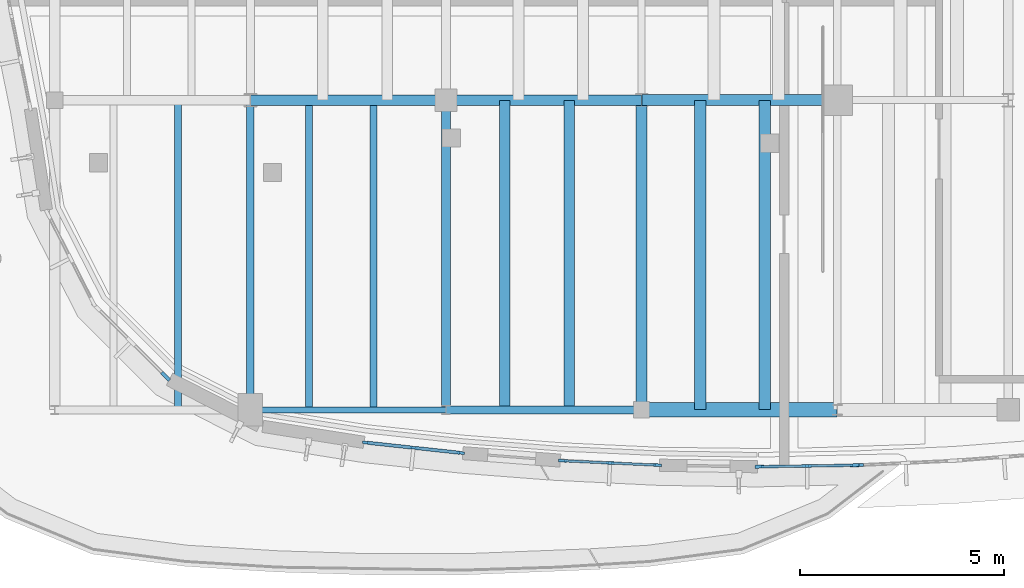
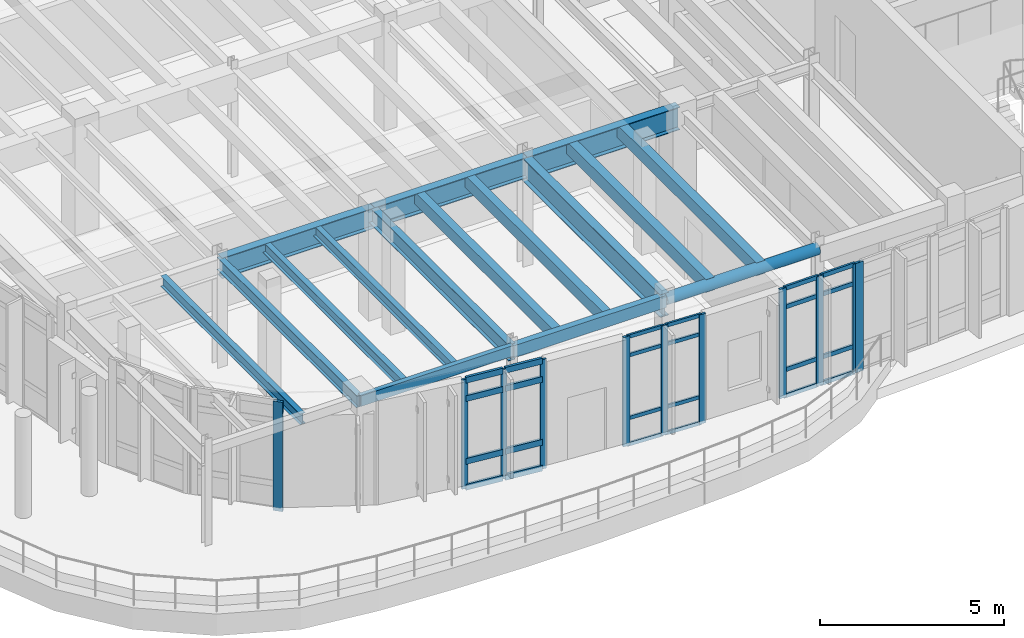
# One storey, part 49 of 111: 35 members, 16 beams, 5 elements without a shape of their own.
"""IFC4 building model written with IfcOpenShell, lengths in metres."""

from ifc_helpers import new_model, si_unit, direction, frame, origin, origin_2d, place, context, subcontext, project, spatial, rectangle, hollow_rectangle, hollow_circle, i_section, extrude, material, material_profile, profile_set, type_object, element, aggregate, save


model = new_model("IFC4")

# Units and contexts
model_context = context("Model", 3, precision=1e-05, world=origin(), true_north=direction((0.0, 1.0)))
body_context = subcontext(model_context, "Body", "Model", "MODEL_VIEW")
ifc_project = project(units=[si_unit("LENGTHUNIT", "METRE"), si_unit("AREAUNIT", "SQUARE_METRE"), si_unit("VOLUMEUNIT", "CUBIC_METRE"), si_unit("PLANEANGLEUNIT", "RADIAN"), si_unit("MASSUNIT", "GRAM", prefix="KILO")], contexts=[model_context])

# Site, building, storey
site_placement = place(None, origin())
site = spatial("IfcSite", under=ifc_project, at=site_placement, CompositionType="ELEMENT")
building_placement = place(site_placement, origin())
building = spatial("IfcBuilding", under=site, at=building_placement, Name="Corveleigh Park Community Centre", CompositionType="ELEMENT")
storey_placement = place(building_placement, frame((0.0, 0.0, 4.800048828125)))
storey = spatial("IfcBuildingStorey", under=building, at=storey_placement, Name="L01", CompositionType="ELEMENT", Elevation=4.800048828125)

# Beams
ifc_material_1 = material(Name="Concrete C40/50", Category="concrete")
ifc_material_profile_1 = material_profile(ifc_material_1, rectangle(XDim=0.25, YDim=0.39990234375, at=origin_2d()), Name="RC-250x400", Category="concrete")
ifc_profile_set_1 = profile_set([ifc_material_profile_1], Name="Concrete C40/50")
beam_type_1 = type_object("IfcBeamType", Name="BM-RC-250x400", PredefinedType="JOIST", material=ifc_profile_set_1)
for number, where, z_axis, x_axis, name in (
    (1, (145.639892578125, 58.60498046875, 3.411865234375), (0.0, 1.0, 0.0), (-1.0, 0.0, 0.0), "Secondary floor joist"),
    (2, (147.22412109375, 58.60498046875, 3.411865234375), (0.0, 1.0, 0.0), (-1.0, 0.0, 0.0), "Secondary floor joist"),
):
    element("IfcBeam", number, at=place(storey_placement, frame(where, z_axis=z_axis, x_axis=x_axis)), inside=storey, type_object=beam_type_1, Name=name, PredefinedType="JOIST", context=body_context, shape_type="SweptSolid", body=[
        extrude(rectangle(XDim=0.25, YDim=0.39990234375, at=origin_2d()), origin(), (0.0, 0.0, 1.0), 7.590087890625),
    ])
ifc_material_profile_2 = material_profile(ifc_material_1, rectangle(XDim=0.27490234375, YDim=0.425048828125, at=origin_2d()), Name="RC-275x425", Category="concrete")
ifc_profile_set_2 = profile_set([ifc_material_profile_2], Name="Concrete C40/50")
beam_type_2 = type_object("IfcBeamType", Name="BM-RC-275x425", PredefinedType="JOIST", material=ifc_profile_set_2)
for number, where, z_axis, x_axis, name in (
    (3, (150.43994140625, 58.60498046875, 3.3994140625), (0.0, 1.0, 0.0), (-1.0, 0.0, 0.0), "Secondary floor joist"),
    (4, (152.02392578125, 58.60498046875, 3.3994140625), (0.0, 1.0, 0.0), (-1.0, 0.0, 0.0), "Secondary floor joist"),
):
    element("IfcBeam", number, at=place(storey_placement, frame(where, z_axis=z_axis, x_axis=x_axis)), inside=storey, type_object=beam_type_2, Name=name, PredefinedType="JOIST", context=body_context, shape_type="SweptSolid", body=[
        extrude(rectangle(XDim=0.27490234375, YDim=0.425048828125, at=origin_2d()), origin(), (0.0, 0.0, 1.0), 7.590087890625),
    ])
ifc_material_2 = material(Name="Steel S355", Category="steel")
ifc_material_profile_3 = material_profile(ifc_material_2, i_section(OverallWidth=0.171142578125, OverallDepth=0.351318359375, WebThickness=0.007080078125, FlangeThickness=0.009765625, at=origin_2d()), Name="UKB 356x171x45", Category="steel")
ifc_profile_set_3 = profile_set([ifc_material_profile_3], Name="Steel S355")
beam_type_3 = type_object("IfcBeamType", Name="BM-STL-UKB356x45", PredefinedType="JOIST", material=ifc_profile_set_3)
beam_1_placement = place(storey_placement, frame((137.6240234375, 58.60498046875, 3.436279296875), z_axis=(0.0, 1.0, 0.0), x_axis=(-1.0, 0.0, 0.0)))
element("IfcBeam", 5, at=beam_1_placement, inside=storey, type_object=beam_type_3, Name="Secondary floor joist", PredefinedType="JOIST", context=body_context, shape_type="SweptSolid", body=[
    extrude(i_section(OverallWidth=0.171142578125, OverallDepth=0.351318359375, WebThickness=0.007080078125, FlangeThickness=0.009765625, at=origin_2d()), origin(), (0.0, 0.0, 1.0), 7.590087890625),
])
ifc_material_profile_4 = material_profile(ifc_material_2, i_section(OverallWidth=0.17138671875, OverallDepth=0.35498046875, WebThickness=0.00732421875, FlangeThickness=0.011474609375, at=origin_2d()), Name="UKB 356x171x51", Category="steel")
ifc_profile_set_4 = profile_set([ifc_material_profile_4], Name="Steel S355")
beam_type_4 = type_object("IfcBeamType", Name="BM-STL-UKB356x51", PredefinedType="JOIST", material=ifc_profile_set_4)
for number, where, z_axis, x_axis, name in (
    (6, (140.840087890625, 58.60498046875, 3.4345703125), (0.0, 1.0, 0.0), (-1.0, 0.0, 0.0), "Secondary floor joist"),
    (7, (142.424072265625, 58.60498046875, 3.4345703125), (0.0, 1.0, 0.0), (-1.0, 0.0, 0.0), "Secondary floor joist"),
):
    element("IfcBeam", number, at=place(storey_placement, frame(where, z_axis=z_axis, x_axis=x_axis)), inside=storey, type_object=beam_type_4, Name=name, PredefinedType="JOIST", context=body_context, shape_type="SweptSolid", body=[
        extrude(i_section(OverallWidth=0.17138671875, OverallDepth=0.35498046875, WebThickness=0.00732421875, FlangeThickness=0.011474609375, at=origin_2d()), origin(), (0.0, 0.0, 1.0), 7.590087890625),
    ])
ifc_material_profile_5 = material_profile(ifc_material_2, i_section(OverallWidth=0.179443359375, OverallDepth=0.412841796875, WebThickness=0.009521484375, FlangeThickness=0.01611328125, at=origin_2d()), Name="UKB 406x178x74", Category="steel")
ifc_profile_set_5 = profile_set([ifc_material_profile_5], Name="Steel S355")
beam_type_5 = type_object("IfcBeamType", Name="BM-STL-UKB406x74", PredefinedType="BEAM", material=ifc_profile_set_5)
beam_2_placement = place(storey_placement, frame((139.39990234375, 58.60498046875, 3.405517578125), z_axis=(0.0, 1.0, 0.0), x_axis=(-1.0, 0.0, 0.0)))
element("IfcBeam", 8, at=beam_2_placement, inside=storey, type_object=beam_type_5, Name="V4 Girder Y", PredefinedType="BEAM", context=body_context, shape_type="SweptSolid", body=[
    extrude(i_section(OverallWidth=0.179443359375, OverallDepth=0.412841796875, WebThickness=0.009521484375, FlangeThickness=0.01611328125, at=origin_2d()), origin(), (0.0, 0.0, 1.0), 7.590087890625),
])
ifc_material_profile_6 = material_profile(ifc_material_2, i_section(OverallWidth=0.2099609375, OverallDepth=0.53662109375, WebThickness=0.0107421875, FlangeThickness=0.017333984375, at=origin_2d()), Name="UKB 533x210x101", Category="steel")
ifc_profile_set_6 = profile_set([ifc_material_profile_6], Name="Steel S355")
beam_type_6 = type_object("IfcBeamType", Name="BM-STL-UKB533x101", PredefinedType="BEAM", material=ifc_profile_set_6)
beam_3_placement = place(storey_placement, frame((144.199951171875, 58.60498046875, 3.34375), z_axis=(0.0, 1.0, 0.0), x_axis=(-1.0, 0.0, 0.0)))
element("IfcBeam", 9, at=beam_3_placement, inside=storey, type_object=beam_type_6, Name="V4 Girder Y", PredefinedType="BEAM", context=body_context, shape_type="SweptSolid", body=[
    extrude(i_section(OverallWidth=0.2099609375, OverallDepth=0.53662109375, WebThickness=0.0107421875, FlangeThickness=0.017333984375, at=origin_2d()), origin(), (0.0, 0.0, 1.0), 7.590087890625),
])
ifc_material_profile_7 = material_profile(ifc_material_2, i_section(OverallWidth=0.253662109375, OverallDepth=0.68359375, WebThickness=0.012451171875, FlangeThickness=0.01904296875, at=origin_2d()), Name="UKB 686x254x140", Category="steel")
ifc_profile_set_7 = profile_set([ifc_material_profile_7], Name="Steel S355")
beam_type_7 = type_object("IfcBeamType", Name="BM-STL-UKB686x140", PredefinedType="BEAM", material=ifc_profile_set_7)
beam_4_placement = place(storey_placement, frame((139.405029296875, 66.199951171875, 3.270263671875), z_axis=(1.0, 0.0, 0.0), x_axis=(0.0, 1.0, 0.0)))
element("IfcBeam", 10, at=beam_4_placement, inside=storey, type_object=beam_type_7, Name="V4 Girder X", PredefinedType="BEAM", context=body_context, shape_type="SweptSolid", body=[
    extrude(i_section(OverallWidth=0.253662109375, OverallDepth=0.68359375, WebThickness=0.012451171875, FlangeThickness=0.01904296875, at=origin_2d()), origin(), (0.0, 0.0, 1.0), 4.7900390625),
])
ifc_material_profile_8 = material_profile(ifc_material_2, i_section(OverallWidth=0.25439453125, OverallDepth=0.6875, WebThickness=0.01318359375, FlangeThickness=0.02099609375, at=origin_2d()), Name="UKB 686x254x152", Category="steel")
ifc_profile_set_8 = profile_set([ifc_material_profile_8], Name="Steel S355")
beam_type_8 = type_object("IfcBeamType", Name="BM-STL-UKB686x152", PredefinedType="BEAM", material=ifc_profile_set_8)
beam_5_placement = place(storey_placement, frame((144.205078125, 66.199951171875, 3.268310546875), z_axis=(1.0, 0.0, 0.0), x_axis=(0.0, 1.0, 0.0)))
element("IfcBeam", 11, at=beam_5_placement, inside=storey, type_object=beam_type_8, Name="V4 Girder X", PredefinedType="BEAM", context=body_context, shape_type="SweptSolid", body=[
    extrude(i_section(OverallWidth=0.25439453125, OverallDepth=0.6875, WebThickness=0.01318359375, FlangeThickness=0.02099609375, at=origin_2d()), origin(), (0.0, 0.0, 1.0), 4.7900390625),
])
ifc_material_profile_9 = material_profile(ifc_material_2, i_section(OverallWidth=0.2666015625, OverallDepth=0.76220703125, WebThickness=0.014404296875, FlangeThickness=0.021484375, at=origin_2d()), Name="UKB 762x267x173", Category="steel")
ifc_profile_set_9 = profile_set([ifc_material_profile_9], Name="Steel S355")
beam_type_9 = type_object("IfcBeamType", Name="BM-STL-UKB762x173", PredefinedType="BEAM", material=ifc_profile_set_9)
beam_6_placement = place(storey_placement, frame((149.0048828125, 66.199951171875, 3.23095703125), z_axis=(1.0, 0.0, 0.0), x_axis=(0.0, 1.0, 0.0)))
element("IfcBeam", 12, at=beam_6_placement, inside=storey, type_object=beam_type_9, Name="V4 Girder X", PredefinedType="BEAM", context=body_context, shape_type="SweptSolid", body=[
    extrude(i_section(OverallWidth=0.2666015625, OverallDepth=0.76220703125, WebThickness=0.014404296875, FlangeThickness=0.021484375, at=origin_2d()), origin(), (0.0, 0.0, 1.0), 4.7900390625),
])
beam_7_placement = place(storey_placement, frame((149.0, 58.60498046875, 3.23095703125), z_axis=(0.0, 1.0, 0.0), x_axis=(-1.0, 0.0, 0.0)))
element("IfcBeam", 13, at=beam_7_placement, inside=storey, type_object=beam_type_9, Name="V4 Girder Y", PredefinedType="BEAM", context=body_context, shape_type="SweptSolid", body=[
    extrude(i_section(OverallWidth=0.2666015625, OverallDepth=0.76220703125, WebThickness=0.014404296875, FlangeThickness=0.021484375, at=origin_2d()), origin(), (0.0, 0.0, 1.0), 7.590087890625),
])

# Curtain wall, members
ifc_material_3 = material(Name="Anodised aluminium 6063-T6", Category="aluminium")
curtain_wall_type = type_object("IfcCurtainWallType", Name="CW-SYS-V4-L01", PredefinedType="NOTDEFINED", material=ifc_material_3)
curtain_wall_1_placement = place(storey_placement, origin())
curtain_wall_1 = element("IfcCurtainWall", 14, at=curtain_wall_1_placement, inside=storey, type_object=curtain_wall_type, Name="V4 L01 Curtain Wall 260", PredefinedType="NOTDEFINED")
ifc_material_profile_10 = material_profile(ifc_material_3, rectangle(XDim=0.06494140625, YDim=0.179931640625, at=origin_2d()), Name="ALU-M65x180", Category="aluminium")
ifc_profile_set_10 = profile_set([ifc_material_profile_10], Name="Anodised aluminium 6063-T6")
member_type_1 = type_object("IfcMemberType", Name="CWM-65x180", PredefinedType="MULLION", material=ifc_profile_set_10)
member_1_placement = place(storey_placement, frame((144.562744140625, 57.54345703125, 0.0), z_axis=(0.0, 0.0, 1.0), x_axis=(-0.108005423213, -0.994150304811, 0.0)))
member_1 = element("IfcMember", 15, at=member_1_placement, type_object=member_type_1, Name="CW08 mullion 1", PredefinedType="MULLION", context=body_context, shape_type="SweptSolid", body=[
    extrude(rectangle(XDim=0.06494140625, YDim=0.179931640625, at=origin_2d()), origin(), (0.0, 0.0, 1.0), 3.636962890625),
])
member_2_placement = place(storey_placement, frame((143.403076171875, 57.66943359375, 0.0), z_axis=(0.0, 0.0, 1.0), x_axis=(-0.108005423213, -0.994150304811, 0.0)))
member_2 = element("IfcMember", 16, at=member_2_placement, type_object=member_type_1, Name="CW08 mullion 2", PredefinedType="MULLION", context=body_context, shape_type="SweptSolid", body=[
    extrude(rectangle(XDim=0.06494140625, YDim=0.179931640625, at=origin_2d()), origin(), (0.0, 0.0, 1.0), 3.636962890625),
])
member_3_placement = place(storey_placement, frame((142.243408203125, 57.79541015625, 0.0), z_axis=(0.0, 0.0, 1.0), x_axis=(-0.108005423213, -0.994150304811, 0.0)))
member_3 = element("IfcMember", 17, at=member_3_placement, type_object=member_type_1, Name="CW08 mullion 3", PredefinedType="MULLION", context=body_context, shape_type="SweptSolid", body=[
    extrude(rectangle(XDim=0.06494140625, YDim=0.179931640625, at=origin_2d()), origin(), (0.0, 0.0, 1.0), 3.636962890625),
])

curtain_wall_2_placement = place(storey_placement, origin())
curtain_wall_2 = element("IfcCurtainWall", 18, at=curtain_wall_2_placement, inside=storey, type_object=curtain_wall_type, Name="V4 L01 Curtain Wall 261", PredefinedType="NOTDEFINED")
ifc_material_profile_11 = material_profile(ifc_material_3, rectangle(XDim=0.070068359375, YDim=0.199951171875, at=origin_2d()), Name="ALU-M70x200", Category="aluminium")
ifc_profile_set_11 = profile_set([ifc_material_profile_11], Name="Anodised aluminium 6063-T6")
member_type_2 = type_object("IfcMemberType", Name="CWM-70x200", PredefinedType="MULLION", material=ifc_profile_set_11)
member_4_placement = place(storey_placement, frame((149.387939453125, 57.24267578125, 0.0), z_axis=(0.0, 0.0, 1.0), x_axis=(-0.046654729122, -0.998911075247, 0.0)))
member_4 = element("IfcMember", 19, at=member_4_placement, type_object=member_type_2, Name="CW08 mullion 1", PredefinedType="MULLION", context=body_context, shape_type="SweptSolid", body=[
    extrude(rectangle(XDim=0.070068359375, YDim=0.199951171875, at=origin_2d()), origin(), (0.0, 0.0, 1.0), 3.636962890625),
])
member_5_placement = place(storey_placement, frame((148.22412109375, 57.297119140625, 0.0), z_axis=(0.0, 0.0, 1.0), x_axis=(-0.046654729122, -0.998911075247, 0.0)))
member_5 = element("IfcMember", 20, at=member_5_placement, type_object=member_type_2, Name="CW08 mullion 2", PredefinedType="MULLION", context=body_context, shape_type="SweptSolid", body=[
    extrude(rectangle(XDim=0.070068359375, YDim=0.199951171875, at=origin_2d()), origin(), (0.0, 0.0, 1.0), 3.636962890625),
])
member_6_placement = place(storey_placement, frame((147.06005859375, 57.351318359375, 0.0), z_axis=(0.0, 0.0, 1.0), x_axis=(-0.046654729122, -0.998911075247, 0.0)))
member_6 = element("IfcMember", 21, at=member_6_placement, type_object=member_type_2, Name="CW08 mullion 3", PredefinedType="MULLION", context=body_context, shape_type="SweptSolid", body=[
    extrude(rectangle(XDim=0.070068359375, YDim=0.199951171875, at=origin_2d()), origin(), (0.0, 0.0, 1.0), 3.636962890625),
])

curtain_wall_3_placement = place(storey_placement, origin())
curtain_wall_3 = element("IfcCurtainWall", 22, at=curtain_wall_3_placement, inside=storey, type_object=curtain_wall_type, Name="V4 L01 Curtain Wall 262", PredefinedType="NOTDEFINED")
ifc_material_profile_12 = material_profile(ifc_material_3, rectangle(XDim=0.074951171875, YDim=0.219970703125, at=origin_2d()), Name="ALU-M75x220", Category="aluminium")
ifc_profile_set_12 = profile_set([ifc_material_profile_12], Name="Anodised aluminium 6063-T6")
member_type_3 = type_object("IfcMemberType", Name="CWM-75x220", PredefinedType="MULLION", material=ifc_profile_set_12)
member_7_placement = place(storey_placement, frame((154.221435546875, 57.240478515625, 0.0), z_axis=(0.0, 0.0, 1.0), x_axis=(0.01541483492, -0.999881184374, 0.0)))
member_7 = element("IfcMember", 23, at=member_7_placement, type_object=member_type_3, Name="CW08 mullion 1", PredefinedType="MULLION", context=body_context, shape_type="SweptSolid", body=[
    extrude(rectangle(XDim=0.074951171875, YDim=0.219970703125, at=origin_2d()), origin(), (0.0, 0.0, 1.0), 3.636962890625),
])
member_8_placement = place(storey_placement, frame((153.05908203125, 57.222412109375, 0.0), z_axis=(0.0, 0.0, 1.0), x_axis=(0.01541483492, -0.999881184374, 0.0)))
member_8 = element("IfcMember", 24, at=member_8_placement, type_object=member_type_3, Name="CW08 mullion 2", PredefinedType="MULLION", context=body_context, shape_type="SweptSolid", body=[
    extrude(rectangle(XDim=0.074951171875, YDim=0.219970703125, at=origin_2d()), origin(), (0.0, 0.0, 1.0), 3.636962890625),
])
member_9_placement = place(storey_placement, frame((151.896484375, 57.20458984375, 0.0), z_axis=(0.0, 0.0, 1.0), x_axis=(0.01541483492, -0.999881184374, 0.0)))
member_9 = element("IfcMember", 25, at=member_9_placement, type_object=member_type_3, Name="CW08 mullion 3", PredefinedType="MULLION", context=body_context, shape_type="SweptSolid", body=[
    extrude(rectangle(XDim=0.074951171875, YDim=0.219970703125, at=origin_2d()), origin(), (0.0, 0.0, 1.0), 3.636962890625),
])

# Curtain wall, member
curtain_wall_4_placement = place(storey_placement, origin())
curtain_wall_4 = element("IfcCurtainWall", 26, at=curtain_wall_4_placement, inside=storey, type_object=curtain_wall_type, Name="V4 L01 Curtain Wall 263", PredefinedType="NOTDEFINED")
ifc_material_profile_13 = material_profile(ifc_material_3, rectangle(XDim=0.080078125, YDim=0.25, at=origin_2d()), Name="ALU-M80x250", Category="aluminium")
ifc_profile_set_13 = profile_set([ifc_material_profile_13], Name="Anodised aluminium 6063-T6")
member_type_4 = type_object("IfcMemberType", Name="CWM-80x250", PredefinedType="MULLION", material=ifc_profile_set_13)
member_10_placement = place(storey_placement, frame((154.31689453125, 57.242919921875, 0.0), z_axis=(0.0, 0.0, 1.0), x_axis=(0.046654729122, -0.998911075247, 0.0)))
member_10 = element("IfcMember", 27, at=member_10_placement, type_object=member_type_4, Name="CW08 mullion 3", PredefinedType="MULLION", context=body_context, shape_type="SweptSolid", body=[
    extrude(rectangle(XDim=0.080078125, YDim=0.25, at=origin_2d()), origin(), (0.0, 0.0, 1.0), 3.636962890625),
])
aggregate(curtain_wall_4, [member_10])

curtain_wall_5_placement = place(storey_placement, origin())
curtain_wall_5 = element("IfcCurtainWall", 28, at=curtain_wall_5_placement, inside=storey, type_object=curtain_wall_type, Name="V4 L01 Curtain Wall 300", PredefinedType="NOTDEFINED")
ifc_material_profile_14 = material_profile(ifc_material_3, rectangle(XDim=0.0849609375, YDim=0.27490234375, at=origin_2d()), Name="ALU-M85x275", Category="aluminium")
ifc_profile_set_14 = profile_set([ifc_material_profile_14], Name="Anodised aluminium 6063-T6")
member_type_5 = type_object("IfcMemberType", Name="CWM-85x275", PredefinedType="MULLION", material=ifc_profile_set_14)
member_11_placement = place(storey_placement, frame((137.322998046875, 59.423095703125, 0.0), z_axis=(0.0, 0.0, 1.0), x_axis=(-0.707106781187, -0.707106781187, 0.0)))
member_11 = element("IfcMember", 29, at=member_11_placement, type_object=member_type_5, Name="CW08 mullion 1", PredefinedType="MULLION", context=body_context, shape_type="SweptSolid", body=[
    extrude(rectangle(XDim=0.0849609375, YDim=0.27490234375, at=origin_2d()), origin(), (0.0, 0.0, 1.0), 3.636962890625),
])
aggregate(curtain_wall_5, [member_11])

# Member
ifc_material_profile_15 = material_profile(ifc_material_3, rectangle(XDim=0.06005859375, YDim=0.1201171875, at=origin_2d()), Name="ALU-T60x120", Category="aluminium")
ifc_profile_set_15 = profile_set([ifc_material_profile_15], Name="Anodised aluminium 6063-T6")
member_type_6 = type_object("IfcMemberType", Name="CWT-60x120", PredefinedType="USERDEFINED", material=ifc_profile_set_15)
member_12_placement = place(storey_placement, frame((149.35302734375, 57.244384765625, 0.030029296875), z_axis=(-0.998914062538, 0.046590725077, 0.0), x_axis=(-0.046590725077, -0.998914062538, 0.0)))
member_12 = element("IfcMember", 30, at=member_12_placement, type_object=member_type_6, Name="CW08 transom 1.1", ObjectType="TRANSOM", PredefinedType="USERDEFINED", context=body_context, shape_type="SweptSolid", body=[
    extrude(rectangle(XDim=0.06005859375, YDim=0.1201171875, at=origin_2d()), origin(), (0.0, 0.0, 1.0), 1.09521484375),
])

member_13_placement = place(storey_placement, frame((149.35302734375, 57.244384765625, 0.89990234375), z_axis=(-0.998914062538, 0.046590725077, 0.0), x_axis=(-0.046590725077, -0.998914062538, 0.0)))
member_13 = element("IfcMember", 31, at=member_13_placement, type_object=member_type_6, Name="CW08 transom 1.2", ObjectType="TRANSOM", PredefinedType="USERDEFINED", context=body_context, shape_type="SweptSolid", body=[
    extrude(rectangle(XDim=0.06005859375, YDim=0.1201171875, at=origin_2d()), origin(), (0.0, 0.0, 1.0), 1.09521484375),
])

member_14_placement = place(storey_placement, frame((149.35302734375, 57.244384765625, 2.987060546875), z_axis=(-0.998914062538, 0.046590725077, 0.0), x_axis=(-0.046590725077, -0.998914062538, 0.0)))
member_14 = element("IfcMember", 32, at=member_14_placement, type_object=member_type_6, Name="CW08 transom 1.3", ObjectType="TRANSOM", PredefinedType="USERDEFINED", context=body_context, shape_type="SweptSolid", body=[
    extrude(rectangle(XDim=0.06005859375, YDim=0.1201171875, at=origin_2d()), origin(), (0.0, 0.0, 1.0), 1.09521484375),
])

member_15_placement = place(storey_placement, frame((149.35302734375, 57.244384765625, 3.60693359375), z_axis=(-0.998914062538, 0.046590725077, 0.0), x_axis=(-0.046590725077, -0.998914062538, 0.0)))
member_15 = element("IfcMember", 33, at=member_15_placement, type_object=member_type_6, Name="CW08 transom 1.4", ObjectType="TRANSOM", PredefinedType="USERDEFINED", context=body_context, shape_type="SweptSolid", body=[
    extrude(rectangle(XDim=0.06005859375, YDim=0.1201171875, at=origin_2d()), origin(), (0.0, 0.0, 1.0), 1.09521484375),
])

member_16_placement = place(storey_placement, frame((148.18896484375, 57.298583984375, 0.030029296875), z_axis=(-0.998903663056, 0.04681315984, 0.0), x_axis=(-0.04681315984, -0.998903663056, 0.0)))
member_16 = element("IfcMember", 34, at=member_16_placement, type_object=member_type_6, Name="CW08 transom 2.1", ObjectType="TRANSOM", PredefinedType="USERDEFINED", context=body_context, shape_type="SweptSolid", body=[
    extrude(rectangle(XDim=0.06005859375, YDim=0.1201171875, at=origin_2d()), origin(), (0.0, 0.0, 1.0), 1.09521484375),
])

member_17_placement = place(storey_placement, frame((148.18896484375, 57.298583984375, 0.89990234375), z_axis=(-0.998903663056, 0.04681315984, 0.0), x_axis=(-0.04681315984, -0.998903663056, 0.0)))
member_17 = element("IfcMember", 35, at=member_17_placement, type_object=member_type_6, Name="CW08 transom 2.2", ObjectType="TRANSOM", PredefinedType="USERDEFINED", context=body_context, shape_type="SweptSolid", body=[
    extrude(rectangle(XDim=0.06005859375, YDim=0.1201171875, at=origin_2d()), origin(), (0.0, 0.0, 1.0), 1.09521484375),
])

member_18_placement = place(storey_placement, frame((148.18896484375, 57.298583984375, 2.987060546875), z_axis=(-0.998903663056, 0.04681315984, 0.0), x_axis=(-0.04681315984, -0.998903663056, 0.0)))
member_18 = element("IfcMember", 36, at=member_18_placement, type_object=member_type_6, Name="CW08 transom 2.3", ObjectType="TRANSOM", PredefinedType="USERDEFINED", context=body_context, shape_type="SweptSolid", body=[
    extrude(rectangle(XDim=0.06005859375, YDim=0.1201171875, at=origin_2d()), origin(), (0.0, 0.0, 1.0), 1.09521484375),
])

member_19_placement = place(storey_placement, frame((148.18896484375, 57.298583984375, 3.60693359375), z_axis=(-0.998903663056, 0.04681315984, 0.0), x_axis=(-0.04681315984, -0.998903663056, 0.0)))
member_19 = element("IfcMember", 37, at=member_19_placement, type_object=member_type_6, Name="CW08 transom 2.4", ObjectType="TRANSOM", PredefinedType="USERDEFINED", context=body_context, shape_type="SweptSolid", body=[
    extrude(rectangle(XDim=0.06005859375, YDim=0.1201171875, at=origin_2d()), origin(), (0.0, 0.0, 1.0), 1.09521484375),
])

aggregate(curtain_wall_2, [member_4, member_5, member_6, member_12, member_13, member_14, member_15, member_16, member_17, member_18, member_19])

ifc_material_profile_16 = material_profile(ifc_material_3, rectangle(XDim=0.06494140625, YDim=0.139892578125, at=origin_2d()), Name="ALU-T65x140", Category="aluminium")
ifc_profile_set_16 = profile_set([ifc_material_profile_16], Name="Anodised aluminium 6063-T6")
member_type_7 = type_object("IfcMemberType", Name="CWT-65x140", PredefinedType="USERDEFINED", material=ifc_profile_set_16)
member_20_placement = place(storey_placement, frame((154.18408203125, 57.23974609375, 0.032470703125), z_axis=(-0.999883529341, -0.015261970818, 0.0), x_axis=(0.015261970818, -0.999883529341, 0.0)))
member_20 = element("IfcMember", 38, at=member_20_placement, type_object=member_type_7, Name="CW08 transom 1.1", ObjectType="TRANSOM", PredefinedType="USERDEFINED", context=body_context, shape_type="SweptSolid", body=[
    extrude(rectangle(XDim=0.06494140625, YDim=0.139892578125, at=origin_2d()), origin(), (0.0, 0.0, 1.0), 1.087890625),
])

member_21_placement = place(storey_placement, frame((154.18408203125, 57.23974609375, 0.89990234375), z_axis=(-0.999883529341, -0.015261970818, 0.0), x_axis=(0.015261970818, -0.999883529341, 0.0)))
member_21 = element("IfcMember", 39, at=member_21_placement, type_object=member_type_7, Name="CW08 transom 1.2", ObjectType="TRANSOM", PredefinedType="USERDEFINED", context=body_context, shape_type="SweptSolid", body=[
    extrude(rectangle(XDim=0.06494140625, YDim=0.139892578125, at=origin_2d()), origin(), (0.0, 0.0, 1.0), 1.087890625),
])

member_22_placement = place(storey_placement, frame((154.18408203125, 57.23974609375, 2.987060546875), z_axis=(-0.999883529341, -0.015261970818, 0.0), x_axis=(0.015261970818, -0.999883529341, 0.0)))
member_22 = element("IfcMember", 40, at=member_22_placement, type_object=member_type_7, Name="CW08 transom 1.3", ObjectType="TRANSOM", PredefinedType="USERDEFINED", context=body_context, shape_type="SweptSolid", body=[
    extrude(rectangle(XDim=0.06494140625, YDim=0.139892578125, at=origin_2d()), origin(), (0.0, 0.0, 1.0), 1.087890625),
])

member_23_placement = place(storey_placement, frame((154.18408203125, 57.23974609375, 3.6044921875), z_axis=(-0.999883529341, -0.015261970818, 0.0), x_axis=(0.015261970818, -0.999883529341, 0.0)))
member_23 = element("IfcMember", 41, at=member_23_placement, type_object=member_type_7, Name="CW08 transom 1.4", ObjectType="TRANSOM", PredefinedType="USERDEFINED", context=body_context, shape_type="SweptSolid", body=[
    extrude(rectangle(XDim=0.06494140625, YDim=0.139892578125, at=origin_2d()), origin(), (0.0, 0.0, 1.0), 1.087890625),
])

member_24_placement = place(storey_placement, frame((153.021484375, 57.221923828125, 0.032470703125), z_axis=(-0.999880025321, -0.015489834249, 0.0), x_axis=(0.015489834249, -0.999880025321, 0.0)))
member_24 = element("IfcMember", 42, at=member_24_placement, type_object=member_type_7, Name="CW08 transom 2.1", ObjectType="TRANSOM", PredefinedType="USERDEFINED", context=body_context, shape_type="SweptSolid", body=[
    extrude(rectangle(XDim=0.06494140625, YDim=0.139892578125, at=origin_2d()), origin(), (0.0, 0.0, 1.0), 1.087646484375),
])

member_25_placement = place(storey_placement, frame((153.021484375, 57.221923828125, 0.89990234375), z_axis=(-0.999880025321, -0.015489834249, 0.0), x_axis=(0.015489834249, -0.999880025321, 0.0)))
member_25 = element("IfcMember", 43, at=member_25_placement, type_object=member_type_7, Name="CW08 transom 2.2", ObjectType="TRANSOM", PredefinedType="USERDEFINED", context=body_context, shape_type="SweptSolid", body=[
    extrude(rectangle(XDim=0.06494140625, YDim=0.139892578125, at=origin_2d()), origin(), (0.0, 0.0, 1.0), 1.087646484375),
])

member_26_placement = place(storey_placement, frame((153.021484375, 57.221923828125, 2.987060546875), z_axis=(-0.999880025321, -0.015489834249, 0.0), x_axis=(0.015489834249, -0.999880025321, 0.0)))
member_26 = element("IfcMember", 44, at=member_26_placement, type_object=member_type_7, Name="CW08 transom 2.3", ObjectType="TRANSOM", PredefinedType="USERDEFINED", context=body_context, shape_type="SweptSolid", body=[
    extrude(rectangle(XDim=0.06494140625, YDim=0.139892578125, at=origin_2d()), origin(), (0.0, 0.0, 1.0), 1.087646484375),
])

member_27_placement = place(storey_placement, frame((153.021484375, 57.221923828125, 3.6044921875), z_axis=(-0.999880025321, -0.015489834249, 0.0), x_axis=(0.015489834249, -0.999880025321, 0.0)))
member_27 = element("IfcMember", 45, at=member_27_placement, type_object=member_type_7, Name="CW08 transom 2.4", ObjectType="TRANSOM", PredefinedType="USERDEFINED", context=body_context, shape_type="SweptSolid", body=[
    extrude(rectangle(XDim=0.06494140625, YDim=0.139892578125, at=origin_2d()), origin(), (0.0, 0.0, 1.0), 1.087646484375),
])

aggregate(curtain_wall_3, [member_7, member_8, member_9, member_20, member_21, member_22, member_23, member_24, member_25, member_26, member_27])

ifc_material_profile_17 = material_profile(ifc_material_3, rectangle(XDim=0.080078125, YDim=0.195068359375, at=origin_2d()), Name="ALU-T80x195", Category="aluminium")
ifc_profile_set_17 = profile_set([ifc_material_profile_17], Name="Anodised aluminium 6063-T6")
member_type_8 = type_object("IfcMemberType", Name="CWT-80x195", PredefinedType="USERDEFINED", material=ifc_profile_set_17)
member_28_placement = place(storey_placement, frame((144.5302734375, 57.547119140625, 0.0400390625), z_axis=(-0.994156363242, 0.10794964301, 0.0), x_axis=(-0.10794964301, -0.994156363242, 0.0)))
member_28 = element("IfcMember", 46, at=member_28_placement, type_object=member_type_8, Name="CW08 transom 1.1", ObjectType="TRANSOM", PredefinedType="USERDEFINED", context=body_context, shape_type="SweptSolid", body=[
    extrude(rectangle(XDim=0.080078125, YDim=0.195068359375, at=origin_2d()), origin(), (0.0, 0.0, 1.0), 1.101318359375),
])

member_29_placement = place(storey_placement, frame((144.5302734375, 57.547119140625, 0.89990234375), z_axis=(-0.994156363242, 0.10794964301, 0.0), x_axis=(-0.10794964301, -0.994156363242, 0.0)))
member_29 = element("IfcMember", 47, at=member_29_placement, type_object=member_type_8, Name="CW08 transom 1.2", ObjectType="TRANSOM", PredefinedType="USERDEFINED", context=body_context, shape_type="SweptSolid", body=[
    extrude(rectangle(XDim=0.080078125, YDim=0.195068359375, at=origin_2d()), origin(), (0.0, 0.0, 1.0), 1.101318359375),
])

member_30_placement = place(storey_placement, frame((144.5302734375, 57.547119140625, 2.987060546875), z_axis=(-0.994156363242, 0.10794964301, 0.0), x_axis=(-0.10794964301, -0.994156363242, 0.0)))
member_30 = element("IfcMember", 48, at=member_30_placement, type_object=member_type_8, Name="CW08 transom 1.3", ObjectType="TRANSOM", PredefinedType="USERDEFINED", context=body_context, shape_type="SweptSolid", body=[
    extrude(rectangle(XDim=0.080078125, YDim=0.195068359375, at=origin_2d()), origin(), (0.0, 0.0, 1.0), 1.101318359375),
])

member_31_placement = place(storey_placement, frame((144.5302734375, 57.547119140625, 3.596923828125), z_axis=(-0.994156363242, 0.10794964301, 0.0), x_axis=(-0.10794964301, -0.994156363242, 0.0)))
member_31 = element("IfcMember", 49, at=member_31_placement, type_object=member_type_8, Name="CW08 transom 1.4", ObjectType="TRANSOM", PredefinedType="USERDEFINED", context=body_context, shape_type="SweptSolid", body=[
    extrude(rectangle(XDim=0.080078125, YDim=0.195068359375, at=origin_2d()), origin(), (0.0, 0.0, 1.0), 1.101318359375),
])

member_32_placement = place(storey_placement, frame((143.37060546875, 57.673095703125, 0.0400390625), z_axis=(-0.994156363242, 0.10794964301, 0.0), x_axis=(-0.10794964301, -0.994156363242, 0.0)))
member_32 = element("IfcMember", 50, at=member_32_placement, type_object=member_type_8, Name="CW08 transom 2.1", ObjectType="TRANSOM", PredefinedType="USERDEFINED", context=body_context, shape_type="SweptSolid", body=[
    extrude(rectangle(XDim=0.080078125, YDim=0.195068359375, at=origin_2d()), origin(), (0.0, 0.0, 1.0), 1.101318359375),
])

member_33_placement = place(storey_placement, frame((143.37060546875, 57.673095703125, 0.89990234375), z_axis=(-0.994156363242, 0.10794964301, 0.0), x_axis=(-0.10794964301, -0.994156363242, 0.0)))
member_33 = element("IfcMember", 51, at=member_33_placement, type_object=member_type_8, Name="CW08 transom 2.2", ObjectType="TRANSOM", PredefinedType="USERDEFINED", context=body_context, shape_type="SweptSolid", body=[
    extrude(rectangle(XDim=0.080078125, YDim=0.195068359375, at=origin_2d()), origin(), (0.0, 0.0, 1.0), 1.101318359375),
])

member_34_placement = place(storey_placement, frame((143.37060546875, 57.673095703125, 2.987060546875), z_axis=(-0.994156363242, 0.10794964301, 0.0), x_axis=(-0.10794964301, -0.994156363242, 0.0)))
member_34 = element("IfcMember", 52, at=member_34_placement, type_object=member_type_8, Name="CW08 transom 2.3", ObjectType="TRANSOM", PredefinedType="USERDEFINED", context=body_context, shape_type="SweptSolid", body=[
    extrude(rectangle(XDim=0.080078125, YDim=0.195068359375, at=origin_2d()), origin(), (0.0, 0.0, 1.0), 1.101318359375),
])

member_35_placement = place(storey_placement, frame((143.37060546875, 57.673095703125, 3.596923828125), z_axis=(-0.994156363242, 0.10794964301, 0.0), x_axis=(-0.10794964301, -0.994156363242, 0.0)))
member_35 = element("IfcMember", 53, at=member_35_placement, type_object=member_type_8, Name="CW08 transom 2.4", ObjectType="TRANSOM", PredefinedType="USERDEFINED", context=body_context, shape_type="SweptSolid", body=[
    extrude(rectangle(XDim=0.080078125, YDim=0.195068359375, at=origin_2d()), origin(), (0.0, 0.0, 1.0), 1.101318359375),
])

aggregate(curtain_wall_1, [member_1, member_2, member_3, member_28, member_29, member_30, member_31, member_32, member_33, member_34, member_35])

# Beams
ifc_material_profile_18 = material_profile(ifc_material_2, hollow_circle(Radius=0.177734375, WallThickness=0.01611328125, at=origin_2d()), Name="CHS 355.6x16.0", Category="steel")
ifc_profile_set_18 = profile_set([ifc_material_profile_18], Name="Steel S355")
beam_type_10 = type_object("IfcBeamType", Name="SP-STL-CHS356R", PredefinedType="SPANDREL", material=ifc_profile_set_18)
beam_8_placement = place(storey_placement, frame((149.0048828125, 58.60009765625, 3.43408203125), z_axis=(1.0, 0.0, 0.0), x_axis=(0.0, 1.0, 0.0)))
element("IfcBeam", 54, at=beam_8_placement, inside=storey, type_object=beam_type_10, Name="V4 Girder X", PredefinedType="SPANDREL", context=body_context, shape_type="SweptSolid", body=[
    extrude(hollow_circle(Radius=0.177734375, WallThickness=0.01611328125, at=origin_2d()), origin(), (0.0, 0.0, 1.0), 4.7900390625),
])
ifc_material_profile_19 = material_profile(ifc_material_2, hollow_rectangle(XDim=0.14990234375, YDim=0.35009765625, WallThickness=0.012451171875, at=origin_2d()), Name="RHS 350x150x12.5", Category="steel")
ifc_profile_set_19 = profile_set([ifc_material_profile_19], Name="Steel S355")
beam_type_11 = type_object("IfcBeamType", Name="SP-STL-RHS350x150", PredefinedType="SPANDREL", material=ifc_profile_set_19)
beam_9_placement = place(storey_placement, frame((139.405029296875, 58.60009765625, 3.43701171875), z_axis=(1.0, 0.0, 0.0), x_axis=(0.0, 1.0, 0.0)))
element("IfcBeam", 55, at=beam_9_placement, inside=storey, type_object=beam_type_11, Name="V4 Girder X", PredefinedType="SPANDREL", context=body_context, shape_type="SweptSolid", body=[
    extrude(hollow_rectangle(XDim=0.14990234375, YDim=0.35009765625, WallThickness=0.012451171875, at=origin_2d()), origin(), (0.0, 0.0, 1.0), 4.7900390625),
])
ifc_material_profile_20 = material_profile(ifc_material_2, hollow_rectangle(XDim=0.199951171875, YDim=0.39990234375, WallThickness=0.012451171875, at=origin_2d()), Name="RHS 400x200x12.5", Category="steel")
ifc_profile_set_20 = profile_set([ifc_material_profile_20], Name="Steel S355")
beam_type_12 = type_object("IfcBeamType", Name="SP-STL-RHS400x200", PredefinedType="SPANDREL", material=ifc_profile_set_20)
beam_10_placement = place(storey_placement, frame((144.205078125, 58.60009765625, 3.411865234375), z_axis=(1.0, 0.0, 0.0), x_axis=(0.0, 1.0, 0.0)))
element("IfcBeam", 56, at=beam_10_placement, inside=storey, type_object=beam_type_12, Name="V4 Girder X", PredefinedType="SPANDREL", context=body_context, shape_type="SweptSolid", body=[
    extrude(hollow_rectangle(XDim=0.199951171875, YDim=0.39990234375, WallThickness=0.012451171875, at=origin_2d()), origin(), (0.0, 0.0, 1.0), 4.7900390625),
])

save(model, "model.ifc")
